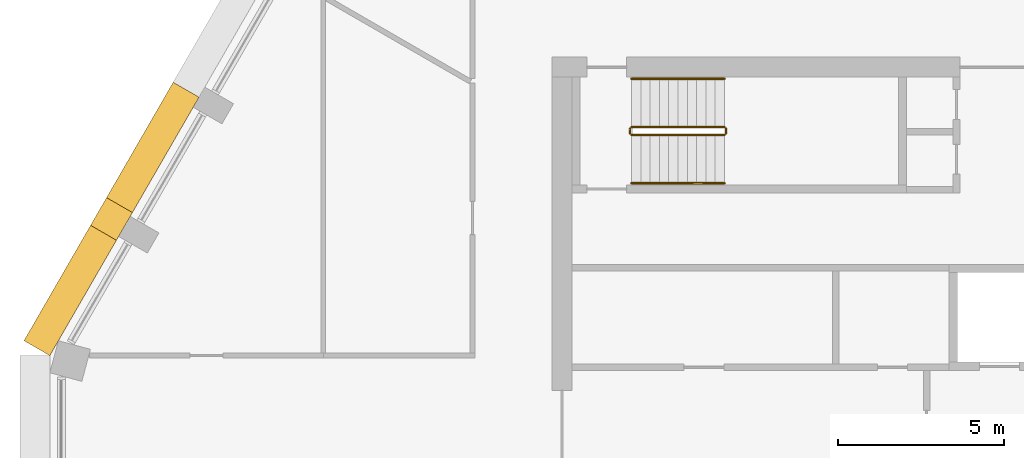
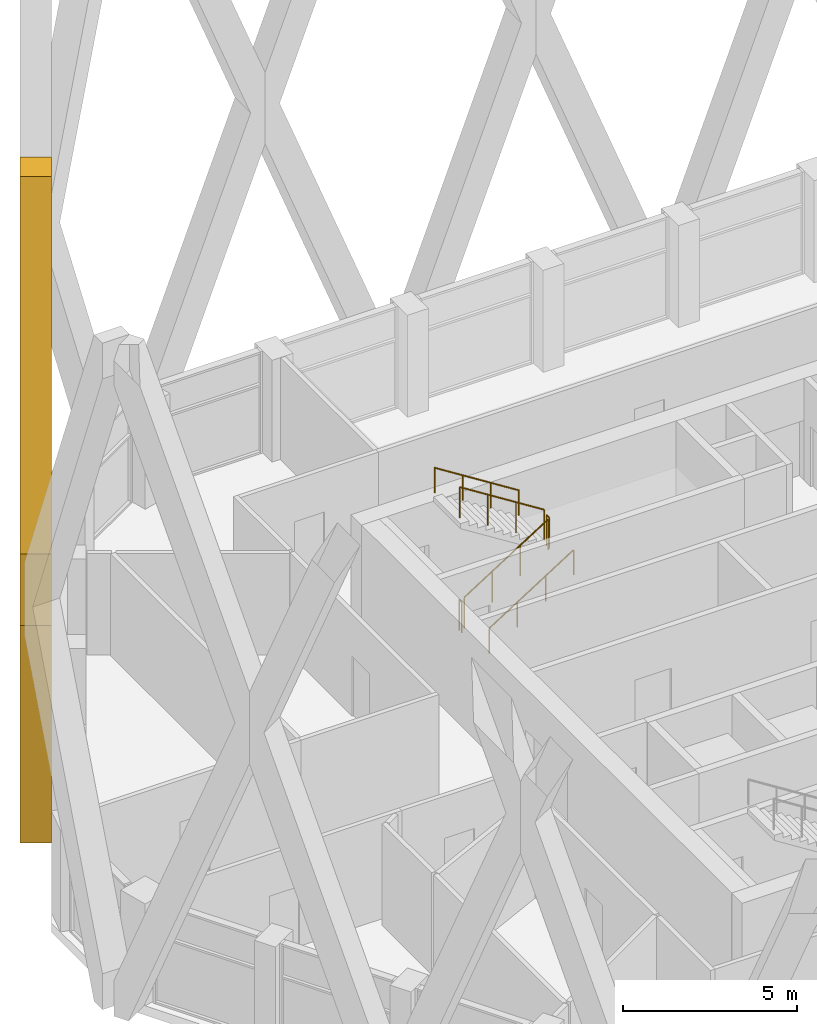
# One storey, part 15 of 20: 6 railings, 1 covering.
"""IFC4 building model written with IfcOpenShell, lengths in metres."""

from ifc_helpers import new_model, si_unit, direction, frame, origin, origin_2d, place, context, subcontext, project, spatial, polyline, circle, outline, extrude, material, type_object, element, save


model = new_model("IFC4")

# Units and contexts
model_context = context("Model", 3, precision=1e-05, world=origin(), true_north=direction((0.0, 1.0)))
body_context = subcontext(model_context, "Body", "Model", "MODEL_VIEW")
ifc_project = project(units=[si_unit("LENGTHUNIT", "METRE"), si_unit("AREAUNIT", "SQUARE_METRE"), si_unit("VOLUMEUNIT", "CUBIC_METRE"), si_unit("PLANEANGLEUNIT", "RADIAN"), si_unit("MASSUNIT", "GRAM", prefix="KILO")], contexts=[model_context])

# Site, building, storey
site_placement = place(None, origin())
site = spatial("IfcSite", under=ifc_project, at=site_placement, CompositionType="ELEMENT")
building_placement = place(site_placement, origin())
building = spatial("IfcBuilding", under=site, at=building_placement, Name="Dhurran Vertical Campus", CompositionType="ELEMENT")
storey_placement = place(building_placement, frame((0.0, 0.0, 235.199951171875)))
storey = spatial("IfcBuildingStorey", under=building, at=storey_placement, Name="L58", CompositionType="ELEMENT", Elevation=235.199951171875)

# Covering
ifc_material_1 = material(Name="Precast concrete C50/60", Category="concrete")
covering_type = type_object("IfcCoveringType", Name="Folded precast fin lattice diamond", PredefinedType="USERDEFINED", material=ifc_material_1)
covering_placement = place(storey_placement, frame((-24.147216796875, 10.044189453125, 0.0), z_axis=(-0.866013897511, 0.50001992892, 0.0), x_axis=(-0.50001992892, -0.866013897511, 0.0)))
element("IfcCovering", 1, at=covering_placement, inside=storey, type_object=covering_type, Name="FN1 L58.019", ObjectType="FIN", PredefinedType="USERDEFINED", context=body_context, shape_type="SweptSolid", body=[
    extrude(outline(polyline([(9.0, 12.95361328125), (9.0, 10.4462890625), (4.982177734375, 0.0), (4.017822265625, 0.0), (0.0, 10.4462890625), (0.0, 12.95361328125), (4.017822265625, 23.39990234375), (4.982177734375, 23.39990234375), (9.0, 12.95361328125)]), holes=[polyline([(8.517822265625, 11.699951171875), (4.5, 22.146484375), (0.482177734375, 11.699951171875), (4.5, 1.253662109375), (8.517822265625, 11.699951171875)])]), origin(), (0.0, 0.0, 1.0), 0.89990234375),
])

# Railings
ifc_material_2 = material(Name="Stainless steel balustrade", Category="steel")
railing_type_1 = type_object("IfcRailingType", Name="co-RL-GUARD-1100", PredefinedType="GUARDRAIL", material=ifc_material_2)
railing_1_placement = place(storey_placement, frame((-11.10009765625, 8.89990234375, 0.17724609375)))
element("IfcRailing", 2, at=railing_1_placement, inside=storey, type_object=railing_type_1, Name="L58 ST1 stair guard 1", PredefinedType="GUARDRAIL", context=body_context, shape_type="SweptSolid", body=[
    extrude(circle(Radius=0.02392578125, at=origin_2d()), frame((0.0, 0.0, 1.076171875), z_axis=(0.844908973607, 0.0, 0.534910110503), x_axis=(0.0, 1.0, 0.0)), (0.0, 0.0, 1.0), 3.31396484375),
    extrude(circle(Radius=0.02099609375, at=origin_2d()), origin(), (0.0, 0.0, 1.0), 1.052001953125),
    extrude(circle(Radius=0.02099609375, at=origin_2d()), frame((0.933349609375, 0.0, 0.5908203125)), (0.0, 0.0, 1.0), 1.052001953125),
    extrude(circle(Radius=0.02099609375, at=origin_2d()), frame((1.86669921875, 0.0, 1.181884765625)), (0.0, 0.0, 1.0), 1.052001953125),
    extrude(circle(Radius=0.02099609375, at=origin_2d()), frame((2.800048828125, 0.0, 1.772705078125)), (0.0, 0.0, 1.0), 1.052001953125),
])
railing_2_placement = place(storey_placement, frame((-8.25, 8.949951171875, 1.949951171875)))
element("IfcRailing", 3, at=railing_2_placement, inside=storey, type_object=railing_type_1, Name="L58 ST1 stair guard 2", PredefinedType="GUARDRAIL", context=body_context, shape_type="SweptSolid", body=[
    extrude(circle(Radius=0.02392578125, at=origin_2d()), frame((0.0, 0.0, 1.076171875), z_axis=(0.0, 1.0, 0.0), x_axis=(-1.0, 0.0, 0.0)), (0.0, 0.0, 1.0), 0.150146484375),
    extrude(circle(Radius=0.02099609375, at=origin_2d()), origin(), (0.0, 0.0, 1.0), 1.052001953125),
    extrude(circle(Radius=0.02099609375, at=origin_2d()), frame((0.0, 0.150146484375, 0.0)), (0.0, 0.0, 1.0), 1.052001953125),
])
railing_3_placement = place(storey_placement, frame((-8.300048828125, 9.14990234375, 2.12744140625)))
element("IfcRailing", 4, at=railing_3_placement, inside=storey, type_object=railing_type_1, Name="L58 ST1 stair guard 3", PredefinedType="GUARDRAIL", context=body_context, shape_type="SweptSolid", body=[
    extrude(circle(Radius=0.02392578125, at=origin_2d()), frame((0.0, 0.0, 1.076171875), z_axis=(-0.844908973607, 0.0, 0.534910110503), x_axis=(0.0, -1.0, 0.0)), (0.0, 0.0, 1.0), 3.31396484375),
    extrude(circle(Radius=0.02099609375, at=origin_2d()), origin(), (0.0, 0.0, 1.0), 1.052001953125),
    extrude(circle(Radius=0.02099609375, at=origin_2d()), frame((-0.933349609375, 0.0, 0.5908203125)), (0.0, 0.0, 1.0), 1.052001953125),
    extrude(circle(Radius=0.02099609375, at=origin_2d()), frame((-1.86669921875, 0.0, 1.181884765625)), (0.0, 0.0, 1.0), 1.052001953125),
    extrude(circle(Radius=0.02099609375, at=origin_2d()), frame((-2.800048828125, 0.0, 1.772705078125)), (0.0, 0.0, 1.0), 1.052001953125),
])
railing_4_placement = place(storey_placement, frame((-11.14990234375, 8.949951171875, 0.0)))
element("IfcRailing", 5, at=railing_4_placement, inside=storey, type_object=railing_type_1, Name="L58 ST1 stair guard 4", PredefinedType="GUARDRAIL", context=body_context, shape_type="SweptSolid", body=[
    extrude(circle(Radius=0.02392578125, at=origin_2d()), frame((0.0, 0.0, 1.076171875), z_axis=(0.0, 1.0, 0.0), x_axis=(-1.0, 0.0, 0.0)), (0.0, 0.0, 1.0), 0.150146484375),
    extrude(circle(Radius=0.02099609375, at=origin_2d()), origin(), (0.0, 0.0, 1.0), 1.052001953125),
    extrude(circle(Radius=0.02099609375, at=origin_2d()), frame((0.0, 0.150146484375, 0.0)), (0.0, 0.0, 1.0), 1.052001953125),
])
ifc_material_3 = material(Name="Stainless steel handrail", Category="steel")
railing_type_2 = type_object("IfcRailingType", Name="co-RL-HANDRAIL-900", PredefinedType="HANDRAIL", material=ifc_material_3)
railing_5_placement = place(storey_placement, frame((-11.10009765625, 7.449951171875, 0.17724609375)))
element("IfcRailing", 6, at=railing_5_placement, inside=storey, type_object=railing_type_2, Name="L58 ST1 stair handrail 1", PredefinedType="HANDRAIL", context=body_context, shape_type="SweptSolid", body=[
    extrude(circle(Radius=0.02392578125, at=origin_2d()), frame((0.0, 0.0, 0.8759765625), z_axis=(0.844908973607, 0.0, 0.534910110503), x_axis=(0.0, 1.0, 0.0)), (0.0, 0.0, 1.0), 3.31396484375),
    extrude(circle(Radius=0.02099609375, at=origin_2d()), origin(), (0.0, 0.0, 1.0), 0.851806640625),
    extrude(circle(Radius=0.02099609375, at=origin_2d()), frame((0.933349609375, 0.0, 0.5908203125)), (0.0, 0.0, 1.0), 0.851806640625),
    extrude(circle(Radius=0.02099609375, at=origin_2d()), frame((1.86669921875, 0.0, 1.181884765625)), (0.0, 0.0, 1.0), 0.851806640625),
    extrude(circle(Radius=0.02099609375, at=origin_2d()), frame((2.800048828125, 0.0, 1.772705078125)), (0.0, 0.0, 1.0), 0.851806640625),
])
railing_6_placement = place(storey_placement, frame((-8.300048828125, 10.60009765625, 2.12744140625)))
element("IfcRailing", 7, at=railing_6_placement, inside=storey, type_object=railing_type_2, Name="L58 ST1 stair handrail 2", PredefinedType="HANDRAIL", context=body_context, shape_type="SweptSolid", body=[
    extrude(circle(Radius=0.02392578125, at=origin_2d()), frame((0.0, 0.0, 0.8759765625), z_axis=(-0.844908973607, 0.0, 0.534910110503), x_axis=(0.0, -1.0, 0.0)), (0.0, 0.0, 1.0), 3.31396484375),
    extrude(circle(Radius=0.02099609375, at=origin_2d()), origin(), (0.0, 0.0, 1.0), 0.851806640625),
    extrude(circle(Radius=0.02099609375, at=origin_2d()), frame((-0.933349609375, 0.0, 0.5908203125)), (0.0, 0.0, 1.0), 0.851806640625),
    extrude(circle(Radius=0.02099609375, at=origin_2d()), frame((-1.86669921875, 0.0, 1.181884765625)), (0.0, 0.0, 1.0), 0.851806640625),
    extrude(circle(Radius=0.02099609375, at=origin_2d()), frame((-2.800048828125, 0.0, 1.772705078125)), (0.0, 0.0, 1.0), 0.851806640625),
])

save(model, "model.ifc")
